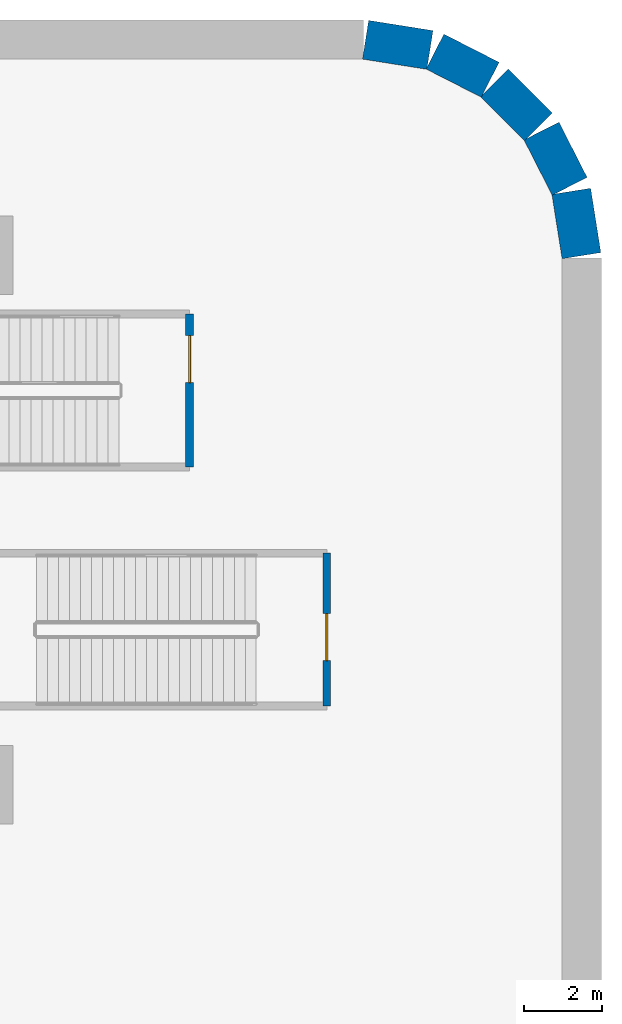
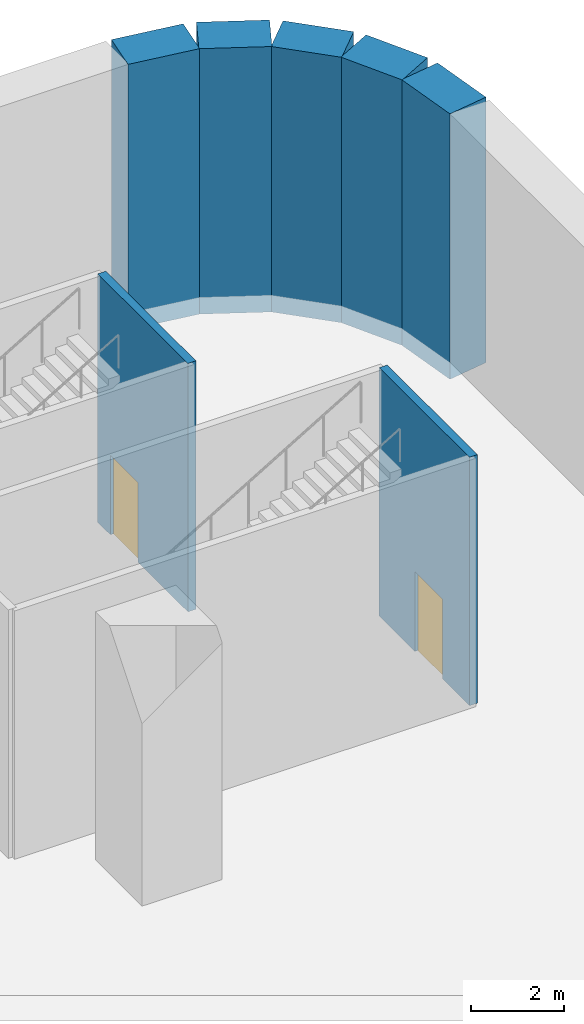
# One storey, part 12 of 30: 7 walls, 2 doors, 2 openings.
"""IFC4 building model written with IfcOpenShell, lengths in metres."""

from ifc_helpers import new_model, si_unit, direction, frame, frame_2d, origin, place, context, subcontext, project, spatial, rectangle, extrude, material, layer, layer_set, type_object, element, fill, save


model = new_model("IFC4")

# Units and contexts
model_context = context("Model", 3, precision=1e-05, world=origin(), true_north=direction((0.0, 1.0)))
body_context = subcontext(model_context, "Body", "Model", "MODEL_VIEW")
ifc_project = project(units=[si_unit("LENGTHUNIT", "METRE"), si_unit("AREAUNIT", "SQUARE_METRE"), si_unit("VOLUMEUNIT", "CUBIC_METRE"), si_unit("PLANEANGLEUNIT", "RADIAN"), si_unit("MASSUNIT", "GRAM", prefix="KILO")], contexts=[model_context])

# Site, building, storey
site_placement = place(None, origin())
site = spatial("IfcSite", under=ifc_project, at=site_placement, CompositionType="ELEMENT")
building_placement = place(site_placement, origin())
building = spatial("IfcBuilding", under=site, at=building_placement, Name="Tamarind Cross Interchange Tower", CompositionType="ELEMENT")
storey_placement = place(building_placement, frame((0.0, 0.0, -14.0)))
storey = spatial("IfcBuildingStorey", under=building, at=storey_placement, Name="B2", CompositionType="ELEMENT", Elevation=-14.0)

# Walls
ifc_material_1 = material(Name="Concrete C40", Category="concrete")
ifc_layer_1 = layer(ifc_material_1, 1.0)
ifc_layer_set_1 = layer_set([ifc_layer_1], Name="Concrete C40")
wall_type_1 = type_object("IfcWallType", Name="Basement wall 1000 Concrete C40", PredefinedType="SOLIDWALL", material=ifc_layer_set_1)
wall_1_placement = place(storey_placement, frame((63.989501953125, 59.495361328125, -0.449951171875), z_axis=(0.0, 0.0, 1.0), x_axis=(0.987688946427, -0.156430639922, 0.0)))
element("IfcWall", 1, at=wall_1_placement, inside=storey, type_object=wall_type_1, Name="Basement wall B2-14", PredefinedType="SOLIDWALL", context=body_context, shape_type="SweptSolid", body=[
    extrude(rectangle(XDim=1.66064453125, YDim=1.0, at=frame_2d((0.830322265625, 0.0))), origin(), (0.0, 0.0, 1.0), 7.0),
])
for number, where, z_axis, x_axis, name in (
    (2, (65.759033203125, 59.193603515625, -0.449951171875), (0.0, 0.0, 1.0), (0.891004140764, -0.453995177443, 0.0), "Basement wall B2-15"),
    (3, (67.27783203125, 58.395751953125, -0.449951171875), (0.0, 0.0, 1.0), (0.707106781187, -0.707106781187, 0.0), "Basement wall B2-16"),
    (4, (68.475830078125, 57.167724609375, -0.449951171875), (0.0, 0.0, 1.0), (0.453995177443, -0.891004140764, 0.0), "Basement wall B2-17"),
):
    element("IfcWall", number, at=place(storey_placement, frame(where, z_axis=z_axis, x_axis=x_axis)), inside=storey, type_object=wall_type_1, Name=name, PredefinedType="SOLIDWALL", context=body_context, shape_type="SweptSolid", body=[
        extrude(rectangle(XDim=1.5810546875, YDim=1.0, at=frame_2d((0.79052734375, 0.0))), origin(), (0.0, 0.0, 1.0), 7.0),
    ])
wall_2_placement = place(storey_placement, frame((69.235595703125, 55.629638671875, -0.449951171875), z_axis=(0.0, 0.0, 1.0), x_axis=(0.156430639922, -0.987688946427, 0.0)))
element("IfcWall", 5, at=wall_2_placement, inside=storey, type_object=wall_type_1, Name="Basement wall B2-18", PredefinedType="SOLIDWALL", context=body_context, shape_type="SweptSolid", body=[
    extrude(rectangle(XDim=1.66064453125, YDim=1.0, at=frame_2d((0.830322265625, 0.0))), origin(), (0.0, 0.0, 1.0), 7.0),
])

# Wall, opening, door
ifc_layer_2 = layer(ifc_material_1, 0.199951171875)
ifc_layer_set_2 = layer_set([ifc_layer_2], Name="Concrete C40")
wall_type_2 = type_object("IfcWallType", Name="Stair shaft wall 200 EI 180", PredefinedType="PARTITIONING", material=ifc_layer_set_2)
wall_3_placement = place(storey_placement, frame((59.5, 48.60009765625, 0.0), z_axis=(0.0, 0.0, 1.0), x_axis=(0.0, 1.0, 0.0)))
wall_3 = element("IfcWall", 6, at=wall_3_placement, inside=storey, type_object=wall_type_2, Name="B2 stair shaft wall 48", PredefinedType="PARTITIONING", context=body_context, shape_type="SweptSolid", body=[
    extrude(rectangle(XDim=3.89990234375, YDim=0.199951171875, at=frame_2d((1.949951171875, 0.0))), origin(), (0.0, 0.0, 1.0), 6.550048828125),
])
opening_1_placement = place(wall_3_placement, frame((2.14990234375, 0.0, 0.0)))
opening_1 = element("IfcOpeningElement", 7, at=opening_1_placement, cuts=wall_3, Name="Opening DB2-03", PredefinedType="OPENING", context=body_context, shape_type="SweptSolid", body=[
    extrude(rectangle(XDim=1.199951171875, YDim=2.10009765625, at=frame_2d((0.60009765625, 1.050048828125))), frame((0.0, 0.10986328125, 0.0), z_axis=(0.0, -1.0, 0.0), x_axis=(1.0, 0.0, 0.0)), (0.0, 0.0, 1.0), 0.219970703125),
])
ifc_material_2 = material(Name="Steel, fire-resisting", Category="steel")
door_type = type_object("IfcDoorType", Name="Podium door 1200 x 2100 FD90", OperationType="SINGLE_SWING_LEFT", PredefinedType="DOOR", material=ifc_material_2)
door_1_placement = place(opening_1_placement, origin())
door_1 = element("IfcDoor", 8, at=door_1_placement, inside=storey, type_object=door_type, Name="B2 door Exit Stair PX1", OperationType="SINGLE_SWING_LEFT", OverallHeight=2.10009765625, OverallWidth=1.199951171875, PredefinedType="DOOR", context=body_context, shape_type="SweptSolid", body=[
    extrude(rectangle(XDim=1.199951171875, YDim=2.10009765625, at=frame_2d((0.60009765625, 1.050048828125))), frame((0.0, 0.02490234375, 0.0), z_axis=(0.0, -1.0, 0.0), x_axis=(1.0, 0.0, 0.0)), (0.0, 0.0, 1.0), 0.050048828125),
])
fill(opening_1, door_1)

wall_4_placement = place(storey_placement, frame((63.0, 42.5, 0.0), z_axis=(0.0, 0.0, 1.0), x_axis=(0.0, 1.0, 0.0)))
wall_4 = element("IfcWall", 9, at=wall_4_placement, inside=storey, type_object=wall_type_2, Name="B2 stair shaft wall 52", PredefinedType="PARTITIONING", context=body_context, shape_type="SweptSolid", body=[
    extrude(rectangle(XDim=3.89990234375, YDim=0.199951171875, at=frame_2d((1.949951171875, 0.0))), origin(), (0.0, 0.0, 1.0), 6.550048828125),
])
opening_2_placement = place(wall_4_placement, frame((1.159912109375, 0.0, 0.0)))
opening_2 = element("IfcOpeningElement", 10, at=opening_2_placement, cuts=wall_4, Name="Opening DB2-04", PredefinedType="OPENING", context=body_context, shape_type="SweptSolid", body=[
    extrude(rectangle(XDim=1.199951171875, YDim=2.10009765625, at=frame_2d((0.60009765625, 1.050048828125))), frame((0.0, 0.10986328125, 0.0), z_axis=(0.0, -1.0, 0.0), x_axis=(1.0, 0.0, 0.0)), (0.0, 0.0, 1.0), 0.219970703125),
])
door_2_placement = place(opening_2_placement, origin())
door_2 = element("IfcDoor", 11, at=door_2_placement, inside=storey, type_object=door_type, Name="B2 door Exit Stair PX2", OperationType="SINGLE_SWING_RIGHT", OverallHeight=2.10009765625, OverallWidth=1.199951171875, PredefinedType="DOOR", context=body_context, shape_type="SweptSolid", body=[
    extrude(rectangle(XDim=1.199951171875, YDim=2.10009765625, at=frame_2d((0.60009765625, 1.050048828125))), frame((0.0, 0.02490234375, 0.0), z_axis=(0.0, -1.0, 0.0), x_axis=(1.0, 0.0, 0.0)), (0.0, 0.0, 1.0), 0.050048828125),
])
fill(opening_2, door_2)

save(model, "model.ifc")
